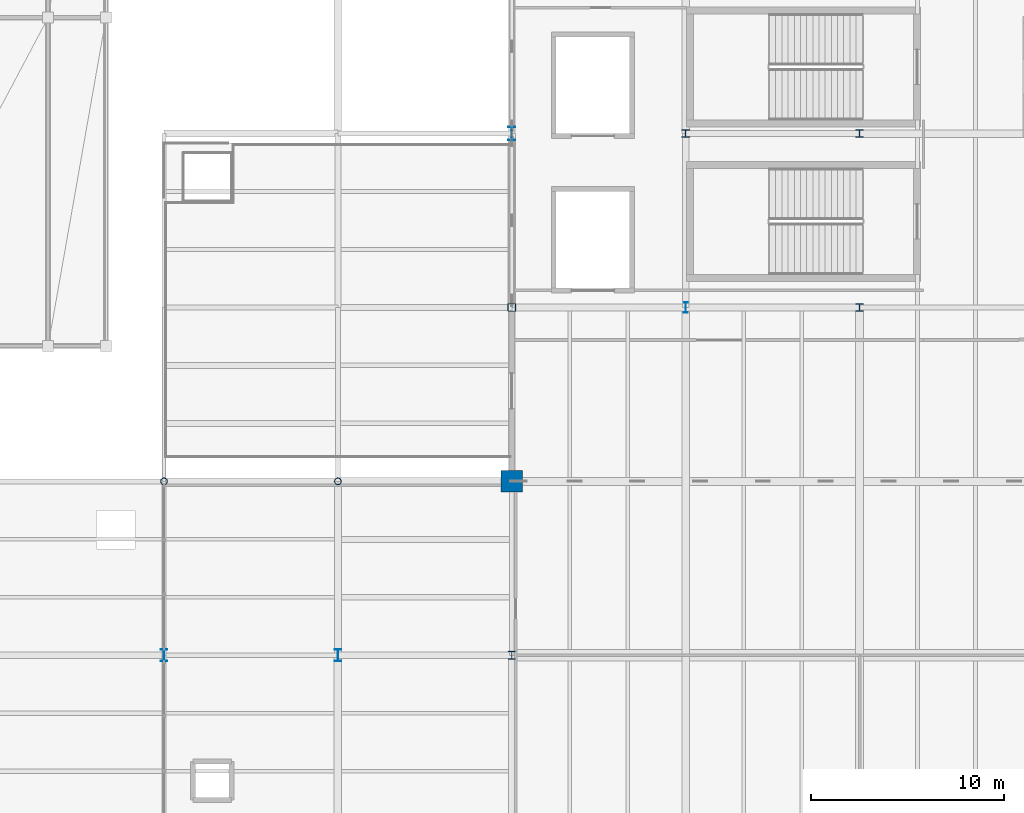
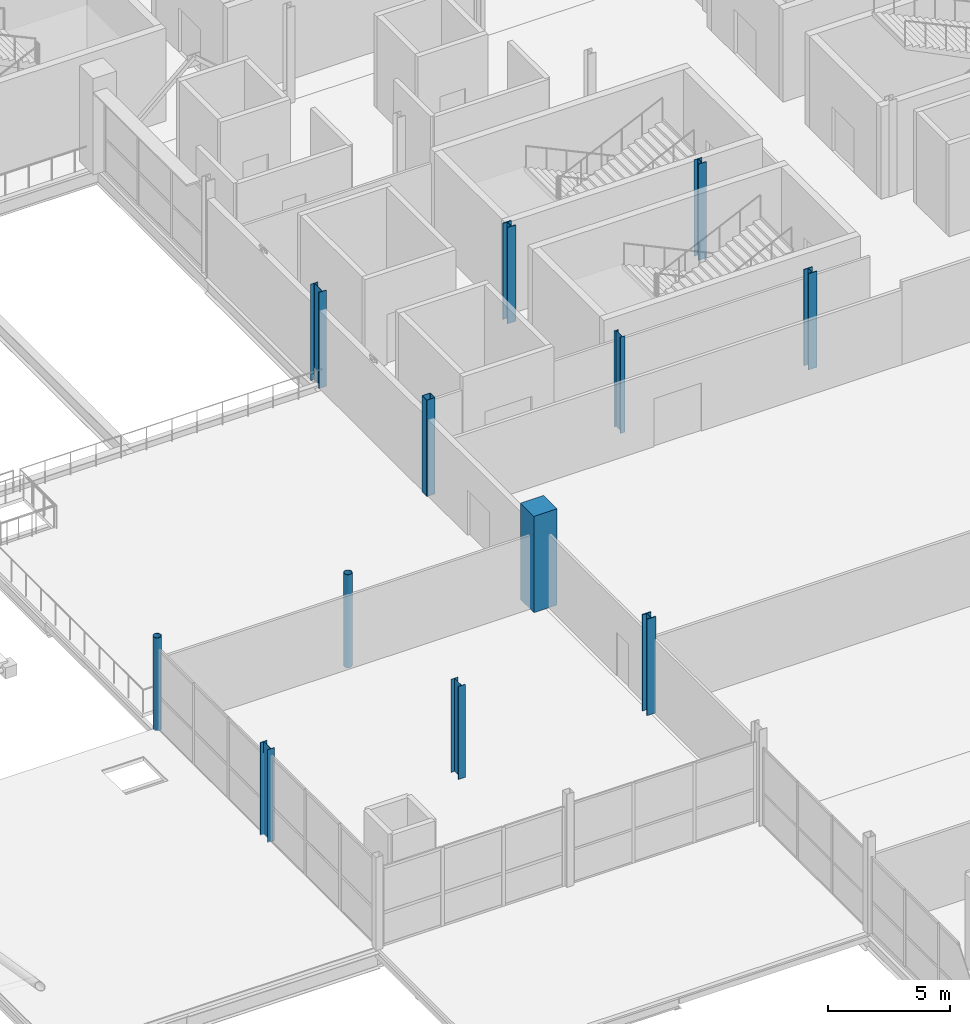
# One storey, part 3 of 69: 12 columns.
"""IFC4 building model written with IfcOpenShell, lengths in metres."""

from ifc_helpers import new_model, si_unit, direction, frame, origin, origin_2d, place, context, subcontext, project, spatial, rectangle, hollow_rectangle, hollow_circle, i_section, extrude, material, material_profile, profile_set, type_object, element, save


model = new_model("IFC4")

# Units and contexts
model_context = context("Model", 3, precision=1e-05, world=origin(), true_north=direction((0.0, 1.0)))
body_context = subcontext(model_context, "Body", "Model", "MODEL_VIEW")
ifc_project = project(units=[si_unit("LENGTHUNIT", "METRE"), si_unit("AREAUNIT", "SQUARE_METRE"), si_unit("VOLUMEUNIT", "CUBIC_METRE"), si_unit("PLANEANGLEUNIT", "RADIAN"), si_unit("MASSUNIT", "GRAM", prefix="KILO")], contexts=[model_context])

# Site, building, storey
site_placement = place(None, origin())
site = spatial("IfcSite", under=ifc_project, at=site_placement, CompositionType="ELEMENT")
building_placement = place(site_placement, origin())
building = spatial("IfcBuilding", under=site, at=building_placement, Name="Qamarlyn Nura Convention Centre", CompositionType="ELEMENT")
storey_placement = place(building_placement, frame((0.0, 0.0, 15.60009765625)))
storey = spatial("IfcBuildingStorey", under=building, at=storey_placement, Name="L03", CompositionType="ELEMENT", Elevation=15.60009765625)

# Columns
ifc_material_1 = material(Name="Steel ASTM A500 Grade C", Category="steel")
ifc_material_profile_1 = material_profile(ifc_material_1, hollow_rectangle(XDim=0.39990234375, YDim=0.39990234375, WallThickness=0.01611328125, InnerFilletRadius=0.01611328125, OuterFilletRadius=0.031982421875, at=origin_2d()), Name="HSS400X400X16")
ifc_profile_set_1 = profile_set([ifc_material_profile_1], Name="Steel ASTM A500 Grade C")
column_type_1 = type_object("IfcColumnType", Name="COL-HSS-1", PredefinedType="COLUMN", material=ifc_profile_set_1)
column_1_placement = place(storey_placement, frame((153.0, 54.0, 0.0), z_axis=(0.0, 0.0, 1.0), x_axis=(1.0, 0.0, 0.0)))
element("IfcColumn", 1, at=column_1_placement, inside=storey, type_object=column_type_1, Name="L03 column 13/G", PredefinedType="COLUMN", context=body_context, shape_type="SweptSolid", body=[
    extrude(hollow_rectangle(XDim=0.39990234375, YDim=0.39990234375, WallThickness=0.01611328125, InnerFilletRadius=0.01611328125, OuterFilletRadius=0.031982421875, at=origin_2d()), origin(), (0.0, 0.0, 1.0), 4.7998046875),
])
ifc_material_2 = material(Name="Steel ASTM A992", Category="steel")
ifc_material_profile_2 = material_profile(ifc_material_2, i_section(OverallWidth=0.408935546875, OverallDepth=0.425048828125, WebThickness=0.030517578125, FlangeThickness=0.049072265625, FilletRadius=0.02001953125, at=origin_2d()), Name="W360X421")
ifc_profile_set_2 = profile_set([ifc_material_profile_2], Name="Steel ASTM A992")
column_type_2 = type_object("IfcColumnType", Name="COL-MEGA-1", PredefinedType="COLUMN", material=ifc_profile_set_2)
column_2_placement = place(storey_placement, frame((153.0, 36.0, 0.0), z_axis=(0.0, 0.0, 1.0), x_axis=(1.0, 0.0, 0.0)))
element("IfcColumn", 2, at=column_2_placement, inside=storey, type_object=column_type_2, Name="L03 column 13/E", PredefinedType="COLUMN", context=body_context, shape_type="SweptSolid", body=[
    extrude(i_section(OverallWidth=0.408935546875, OverallDepth=0.425048828125, WebThickness=0.030517578125, FlangeThickness=0.049072265625, FilletRadius=0.02001953125, at=origin_2d()), origin(), (0.0, 0.0, 1.0), 4.7998046875),
])
ifc_material_3 = material(Name="Concrete C50/60", Category="concrete")
ifc_material_profile_3 = material_profile(ifc_material_3, rectangle(XDim=1.10009765625, YDim=1.10009765625, at=origin_2d()), Name="RC 1100x1100")
ifc_profile_set_3 = profile_set([ifc_material_profile_3], Name="Concrete C50/60")
column_type_3 = type_object("IfcColumnType", Name="COL-MEGA-2", PredefinedType="COLUMN", material=ifc_profile_set_3)
column_3_placement = place(storey_placement, frame((153.0, 45.0, 0.0), z_axis=(0.0, 0.0, 1.0), x_axis=(1.0, 0.0, 0.0)))
element("IfcColumn", 3, at=column_3_placement, inside=storey, type_object=column_type_3, Name="L03 column 13/F", PredefinedType="COLUMN", context=body_context, shape_type="SweptSolid", body=[
    extrude(rectangle(XDim=1.10009765625, YDim=1.10009765625, at=origin_2d()), origin(), (0.0, 0.0, 1.0), 4.7998046875),
])
ifc_material_4 = material(Name="Pearl-white PVDF steel ASTM A500 Grade C", Category="steel")
ifc_material_profile_4 = material_profile(ifc_material_4, hollow_circle(Radius=0.177734375, WallThickness=0.01611328125, at=origin_2d()), Name="CHS355.6X16")
ifc_profile_set_4 = profile_set([ifc_material_profile_4], Name="Pearl-white PVDF steel ASTM A500 Grade C")
column_type_4 = type_object("IfcColumnType", Name="COL-TUBE-2", PredefinedType="COLUMN", material=ifc_profile_set_4)
for number, where, z_axis, x_axis, name in (
    (4, (135.0, 45.0, 0.0), (0.0, 0.0, 1.0), (1.0, 0.0, 0.0), "L03 column 11/F"),
    (5, (144.0, 45.0, 0.0), (0.0, 0.0, 1.0), (1.0, 0.0, 0.0), "L03 column 12/F"),
):
    element("IfcColumn", number, at=place(storey_placement, frame(where, z_axis=z_axis, x_axis=x_axis)), inside=storey, type_object=column_type_4, Name=name, PredefinedType="COLUMN", context=body_context, shape_type="SweptSolid", body=[
        extrude(hollow_circle(Radius=0.177734375, WallThickness=0.01611328125, at=origin_2d()), origin(), (0.0, 0.0, 1.0), 4.639892578125),
    ])
ifc_material_profile_5 = material_profile(ifc_material_2, i_section(OverallWidth=0.39892578125, OverallDepth=0.39306640625, WebThickness=0.022705078125, FlangeThickness=0.03662109375, FilletRadius=0.01806640625, at=origin_2d()), Name="W360X287")
ifc_profile_set_5 = profile_set([ifc_material_profile_5], Name="Steel ASTM A992")
column_type_5 = type_object("IfcColumnType", Name="COL-WING-1", PredefinedType="COLUMN", material=ifc_profile_set_5)
for number, where, z_axis, x_axis, name in (
    (6, (162.0, 63.0, 0.0), (0.0, 0.0, 1.0), (1.0, 0.0, 0.0), "L03 column 14/H"),
    (7, (171.0, 54.0, 0.0), (0.0, 0.0, 1.0), (1.0, 0.0, 0.0), "L03 column 15/G"),
):
    element("IfcColumn", number, at=place(storey_placement, frame(where, z_axis=z_axis, x_axis=x_axis)), inside=storey, type_object=column_type_5, Name=name, PredefinedType="COLUMN", context=body_context, shape_type="SweptSolid", body=[
        extrude(i_section(OverallWidth=0.39892578125, OverallDepth=0.39306640625, WebThickness=0.022705078125, FlangeThickness=0.03662109375, FilletRadius=0.01806640625, at=origin_2d()), origin(), (0.0, 0.0, 1.0), 4.7998046875),
    ])
ifc_material_profile_6 = material_profile(ifc_material_2, i_section(OverallWidth=0.3740234375, OverallDepth=0.3720703125, WebThickness=0.016357421875, FlangeThickness=0.026123046875, FilletRadius=0.01611328125, at=origin_2d()), Name="W360X196")
ifc_profile_set_6 = profile_set([ifc_material_profile_6], Name="Steel ASTM A992")
column_type_6 = type_object("IfcColumnType", Name="COL-WING-2", PredefinedType="COLUMN", material=ifc_profile_set_6)
column_4_placement = place(storey_placement, frame((171.0, 63.0, 0.0), z_axis=(0.0, 0.0, 1.0), x_axis=(1.0, 0.0, 0.0)))
element("IfcColumn", 8, at=column_4_placement, inside=storey, type_object=column_type_6, Name="L03 column 15/H", PredefinedType="COLUMN", context=body_context, shape_type="SweptSolid", body=[
    extrude(i_section(OverallWidth=0.3740234375, OverallDepth=0.3720703125, WebThickness=0.016357421875, FlangeThickness=0.026123046875, FilletRadius=0.01611328125, at=origin_2d()), origin(), (0.0, 0.0, 1.0), 4.7998046875),
])
ifc_material_profile_7 = material_profile(ifc_material_2, i_section(OverallWidth=0.35498046875, OverallDepth=0.695068359375, WebThickness=0.015380859375, FlangeThickness=0.02490234375, FilletRadius=0.01806640625, at=origin_2d()), Name="W690X217")
ifc_profile_set_7 = profile_set([ifc_material_profile_7], Name="Steel ASTM A992")
column_type_7 = type_object("IfcColumnType", Name="COL-WING-5", PredefinedType="COLUMN", material=ifc_profile_set_7)
column_5_placement = place(storey_placement, frame((153.0, 63.0, 0.0), z_axis=(0.0, 0.0, 1.0), x_axis=(1.0, 0.0, 0.0)))
element("IfcColumn", 9, at=column_5_placement, inside=storey, type_object=column_type_7, Name="L03 column 13/H", PredefinedType="COLUMN", context=body_context, shape_type="SweptSolid", body=[
    extrude(i_section(OverallWidth=0.35498046875, OverallDepth=0.695068359375, WebThickness=0.015380859375, FlangeThickness=0.02490234375, FilletRadius=0.01806640625, at=origin_2d()), origin(), (0.0, 0.0, 1.0), 4.7998046875),
])
ifc_material_profile_8 = material_profile(ifc_material_2, i_section(OverallWidth=0.323974609375, OverallDepth=0.611083984375, WebThickness=0.0126953125, FlangeThickness=0.01904296875, FilletRadius=0.01611328125, at=origin_2d()), Name="W610X155")
ifc_profile_set_8 = profile_set([ifc_material_profile_8], Name="Steel ASTM A992")
column_type_8 = type_object("IfcColumnType", Name="COL-WING-6", PredefinedType="COLUMN", material=ifc_profile_set_8)
for number, where, z_axis, x_axis, name in (
    (10, (135.0, 36.0, 0.0), (0.0, 0.0, 1.0), (1.0, 0.0, 0.0), "L03 column 11/E"),
    (11, (144.0, 36.0, 0.0), (0.0, 0.0, 1.0), (1.0, 0.0, 0.0), "L03 column 12/E"),
):
    element("IfcColumn", number, at=place(storey_placement, frame(where, z_axis=z_axis, x_axis=x_axis)), inside=storey, type_object=column_type_8, Name=name, PredefinedType="COLUMN", context=body_context, shape_type="SweptSolid", body=[
        extrude(i_section(OverallWidth=0.323974609375, OverallDepth=0.611083984375, WebThickness=0.0126953125, FlangeThickness=0.01904296875, FilletRadius=0.01611328125, at=origin_2d()), origin(), (0.0, 0.0, 1.0), 4.639892578125),
    ])
ifc_material_profile_9 = material_profile(ifc_material_2, i_section(OverallWidth=0.2109375, OverallDepth=0.5390625, WebThickness=0.01171875, FlangeThickness=0.018798828125, FilletRadius=0.013916015625, at=origin_2d()), Name="W530X109")
ifc_profile_set_9 = profile_set([ifc_material_profile_9], Name="Steel ASTM A992")
column_type_9 = type_object("IfcColumnType", Name="COL-WING-7", PredefinedType="COLUMN", material=ifc_profile_set_9)
column_6_placement = place(storey_placement, frame((162.0, 54.0, 0.0), z_axis=(0.0, 0.0, 1.0), x_axis=(1.0, 0.0, 0.0)))
element("IfcColumn", 12, at=column_6_placement, inside=storey, type_object=column_type_9, Name="L03 column 14/G", PredefinedType="COLUMN", context=body_context, shape_type="SweptSolid", body=[
    extrude(i_section(OverallWidth=0.2109375, OverallDepth=0.5390625, WebThickness=0.01171875, FlangeThickness=0.018798828125, FilletRadius=0.013916015625, at=origin_2d()), origin(), (0.0, 0.0, 1.0), 4.7998046875),
])

save(model, "model.ifc")
